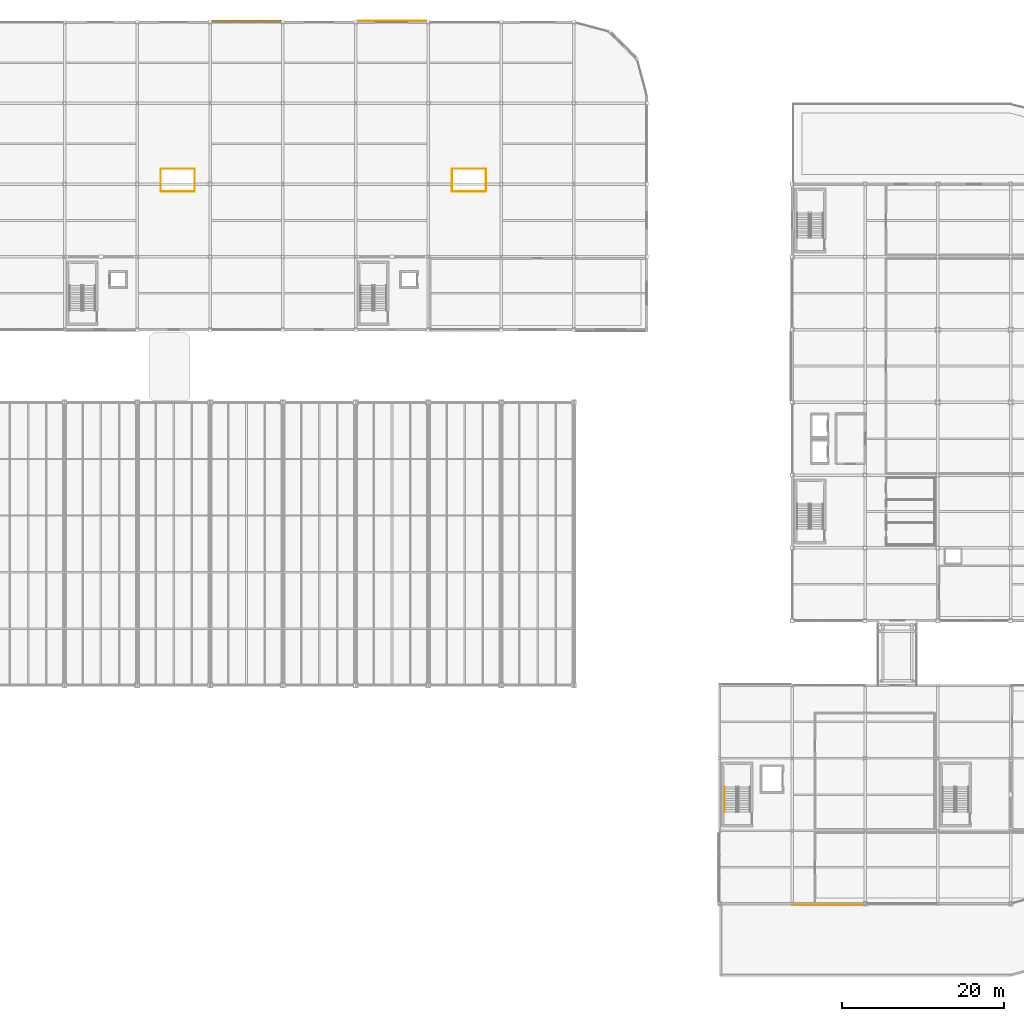
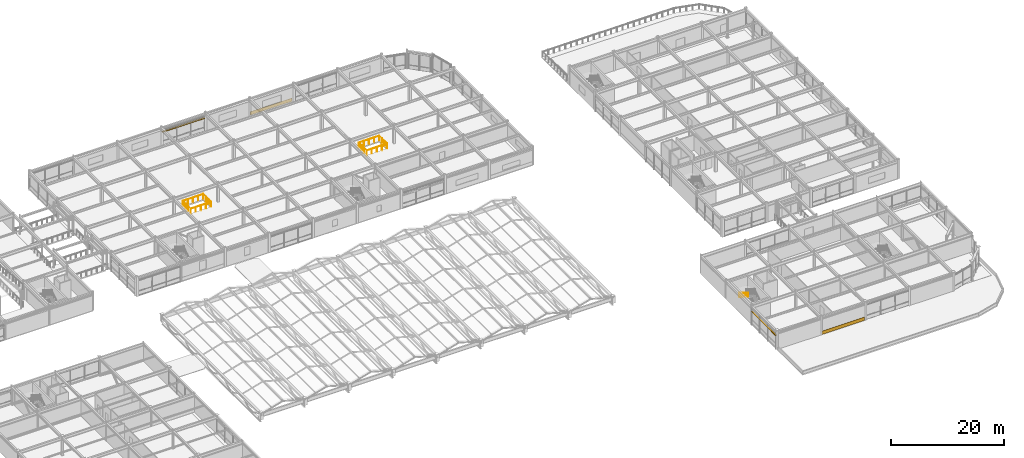
# One storey, part 101 of 108: 5 railings, 2 coverings, 2 shading devices.
"""IFC4 building model written with IfcOpenShell, lengths in metres."""

from ifc_helpers import new_model, si_unit, direction, frame, origin, origin_2d, place, context, subcontext, project, spatial, rectangle, circle, extrude, material, layer, layer_set, material_profile, profile_set, type_object, element, save


model = new_model("IFC4")

# Units and contexts
model_context = context("Model", 3, precision=1e-05, world=origin(), true_north=direction((0.0, 1.0)))
body_context = subcontext(model_context, "Body", "Model", "MODEL_VIEW")
ifc_project = project(units=[si_unit("LENGTHUNIT", "METRE"), si_unit("AREAUNIT", "SQUARE_METRE"), si_unit("VOLUMEUNIT", "CUBIC_METRE"), si_unit("PLANEANGLEUNIT", "RADIAN"), si_unit("MASSUNIT", "GRAM", prefix="KILO")], contexts=[model_context])

# Site, building, storey
site_placement = place(None, origin())
site = spatial("IfcSite", under=ifc_project, at=site_placement, CompositionType="ELEMENT")
building_placement = place(site_placement, origin())
building = spatial("IfcBuilding", under=site, at=building_placement, Name="Suzunagisa Mobility Hub", CompositionType="ELEMENT")
storey_placement = place(building_placement, frame((0.0, 0.0, 9.300048828125)))
storey = spatial("IfcBuildingStorey", under=building, at=storey_placement, Name="L02", CompositionType="ELEMENT", Elevation=9.300048828125)

# Railings
ifc_material_1 = material(Name="Stainless Steel SUS304", Category="metal")
railing_type_1 = type_object("IfcRailingType", Name="Interior Well Guardrail IGR-01", PredefinedType="GUARDRAIL", material=ifc_material_1)
railing_1_placement = place(storey_placement, frame((65.89990234375, 99.840087890625, 0.0)))
element("IfcRailing", 1, at=railing_1_placement, inside=storey, type_object=railing_type_1, Name="L02 Smoke-Relief Lightwell Guardrail LG-57S", PredefinedType="GUARDRAIL", context=body_context, shape_type="SweptSolid", body=[
    extrude(circle(Radius=0.02392578125, at=origin_2d()), frame((0.0, 0.0, 1.09619140625), z_axis=(0.0, -1.0, 0.0), x_axis=(1.0, 0.0, 0.0)), (0.0, 0.0, 1.0), 2.739990234375),
    extrude(circle(Radius=0.02392578125, at=origin_2d()), frame((0.0, -2.739990234375, 1.09619140625), z_axis=(1.0, 0.0, 0.0), x_axis=(0.0, 1.0, 0.0)), (0.0, 0.0, 1.0), 4.2001953125),
    extrude(circle(Radius=0.02099609375, at=origin_2d()), origin(), (0.0, 0.0, 1.0), 1.072021484375),
    extrude(circle(Radius=0.02099609375, at=origin_2d()), frame((0.0, -0.913330078125, 0.0)), (0.0, 0.0, 1.0), 1.072021484375),
    extrude(circle(Radius=0.02099609375, at=origin_2d()), frame((0.0, -1.82666015625, 0.0)), (0.0, 0.0, 1.0), 1.072021484375),
    extrude(circle(Radius=0.02099609375, at=origin_2d()), frame((0.0, -2.739990234375, 0.0)), (0.0, 0.0, 1.0), 1.072021484375),
    extrude(circle(Radius=0.02099609375, at=origin_2d()), frame((1.050048828125, -2.739990234375, 0.0)), (0.0, 0.0, 1.0), 1.072021484375),
    extrude(circle(Radius=0.02099609375, at=origin_2d()), frame((2.10009765625, -2.739990234375, 0.0)), (0.0, 0.0, 1.0), 1.072021484375),
    extrude(circle(Radius=0.02099609375, at=origin_2d()), frame((3.150146484375, -2.739990234375, 0.0)), (0.0, 0.0, 1.0), 1.072021484375),
    extrude(circle(Radius=0.02099609375, at=origin_2d()), frame((4.2001953125, -2.739990234375, 0.0)), (0.0, 0.0, 1.0), 1.072021484375),
])
railing_2_placement = place(storey_placement, frame((70.10009765625, 97.159912109375, 0.0)))
element("IfcRailing", 2, at=railing_2_placement, inside=storey, type_object=railing_type_1, Name="L02 Smoke-Relief Lightwell Guardrail LG-58N", PredefinedType="GUARDRAIL", context=body_context, shape_type="SweptSolid", body=[
    extrude(circle(Radius=0.02392578125, at=origin_2d()), frame((0.0, 0.0, 1.09619140625), z_axis=(0.0, 1.0, 0.0), x_axis=(-1.0, 0.0, 0.0)), (0.0, 0.0, 1.0), 2.739990234375),
    extrude(circle(Radius=0.02392578125, at=origin_2d()), frame((0.0, 2.739990234375, 1.09619140625), z_axis=(-1.0, 0.0, 0.0), x_axis=(0.0, -1.0, 0.0)), (0.0, 0.0, 1.0), 4.2001953125),
    extrude(circle(Radius=0.02099609375, at=origin_2d()), origin(), (0.0, 0.0, 1.0), 1.072021484375),
    extrude(circle(Radius=0.02099609375, at=origin_2d()), frame((0.0, 0.913330078125, 0.0)), (0.0, 0.0, 1.0), 1.072021484375),
    extrude(circle(Radius=0.02099609375, at=origin_2d()), frame((0.0, 1.82666015625, 0.0)), (0.0, 0.0, 1.0), 1.072021484375),
    extrude(circle(Radius=0.02099609375, at=origin_2d()), frame((0.0, 2.739990234375, 0.0)), (0.0, 0.0, 1.0), 1.072021484375),
    extrude(circle(Radius=0.02099609375, at=origin_2d()), frame((-1.050048828125, 2.739990234375, 0.0)), (0.0, 0.0, 1.0), 1.072021484375),
    extrude(circle(Radius=0.02099609375, at=origin_2d()), frame((-2.10009765625, 2.739990234375, 0.0)), (0.0, 0.0, 1.0), 1.072021484375),
    extrude(circle(Radius=0.02099609375, at=origin_2d()), frame((-3.150146484375, 2.739990234375, 0.0)), (0.0, 0.0, 1.0), 1.072021484375),
    extrude(circle(Radius=0.02099609375, at=origin_2d()), frame((-4.2001953125, 2.739990234375, 0.0)), (0.0, 0.0, 1.0), 1.072021484375),
])
railing_3_placement = place(storey_placement, frame((101.89990234375, 99.840087890625, 0.0)))
element("IfcRailing", 3, at=railing_3_placement, inside=storey, type_object=railing_type_1, Name="L02 Smoke-Relief Lightwell Guardrail LG-59S", PredefinedType="GUARDRAIL", context=body_context, shape_type="SweptSolid", body=[
    extrude(circle(Radius=0.02392578125, at=origin_2d()), frame((0.0, 0.0, 1.09619140625), z_axis=(0.0, -1.0, 0.0), x_axis=(1.0, 0.0, 0.0)), (0.0, 0.0, 1.0), 2.739990234375),
    extrude(circle(Radius=0.02392578125, at=origin_2d()), frame((0.0, -2.739990234375, 1.09619140625), z_axis=(1.0, 0.0, 0.0), x_axis=(0.0, 1.0, 0.0)), (0.0, 0.0, 1.0), 4.2001953125),
    extrude(circle(Radius=0.02099609375, at=origin_2d()), origin(), (0.0, 0.0, 1.0), 1.072021484375),
    extrude(circle(Radius=0.02099609375, at=origin_2d()), frame((0.0, -0.913330078125, 0.0)), (0.0, 0.0, 1.0), 1.072021484375),
    extrude(circle(Radius=0.02099609375, at=origin_2d()), frame((0.0, -1.82666015625, 0.0)), (0.0, 0.0, 1.0), 1.072021484375),
    extrude(circle(Radius=0.02099609375, at=origin_2d()), frame((0.0, -2.739990234375, 0.0)), (0.0, 0.0, 1.0), 1.072021484375),
    extrude(circle(Radius=0.02099609375, at=origin_2d()), frame((1.050048828125, -2.739990234375, 0.0)), (0.0, 0.0, 1.0), 1.072021484375),
    extrude(circle(Radius=0.02099609375, at=origin_2d()), frame((2.10009765625, -2.739990234375, 0.0)), (0.0, 0.0, 1.0), 1.072021484375),
    extrude(circle(Radius=0.02099609375, at=origin_2d()), frame((3.150146484375, -2.739990234375, 0.0)), (0.0, 0.0, 1.0), 1.072021484375),
    extrude(circle(Radius=0.02099609375, at=origin_2d()), frame((4.2001953125, -2.739990234375, 0.0)), (0.0, 0.0, 1.0), 1.072021484375),
])
railing_4_placement = place(storey_placement, frame((106.10009765625, 97.159912109375, 0.0)))
element("IfcRailing", 4, at=railing_4_placement, inside=storey, type_object=railing_type_1, Name="L02 Smoke-Relief Lightwell Guardrail LG-60N", PredefinedType="GUARDRAIL", context=body_context, shape_type="SweptSolid", body=[
    extrude(circle(Radius=0.02392578125, at=origin_2d()), frame((0.0, 0.0, 1.09619140625), z_axis=(0.0, 1.0, 0.0), x_axis=(-1.0, 0.0, 0.0)), (0.0, 0.0, 1.0), 2.739990234375),
    extrude(circle(Radius=0.02392578125, at=origin_2d()), frame((0.0, 2.739990234375, 1.09619140625), z_axis=(-1.0, 0.0, 0.0), x_axis=(0.0, -1.0, 0.0)), (0.0, 0.0, 1.0), 4.2001953125),
    extrude(circle(Radius=0.02099609375, at=origin_2d()), origin(), (0.0, 0.0, 1.0), 1.072021484375),
    extrude(circle(Radius=0.02099609375, at=origin_2d()), frame((0.0, 0.913330078125, 0.0)), (0.0, 0.0, 1.0), 1.072021484375),
    extrude(circle(Radius=0.02099609375, at=origin_2d()), frame((0.0, 1.82666015625, 0.0)), (0.0, 0.0, 1.0), 1.072021484375),
    extrude(circle(Radius=0.02099609375, at=origin_2d()), frame((0.0, 2.739990234375, 0.0)), (0.0, 0.0, 1.0), 1.072021484375),
    extrude(circle(Radius=0.02099609375, at=origin_2d()), frame((-1.050048828125, 2.739990234375, 0.0)), (0.0, 0.0, 1.0), 1.072021484375),
    extrude(circle(Radius=0.02099609375, at=origin_2d()), frame((-2.10009765625, 2.739990234375, 0.0)), (0.0, 0.0, 1.0), 1.072021484375),
    extrude(circle(Radius=0.02099609375, at=origin_2d()), frame((-3.150146484375, 2.739990234375, 0.0)), (0.0, 0.0, 1.0), 1.072021484375),
    extrude(circle(Radius=0.02099609375, at=origin_2d()), frame((-4.2001953125, 2.739990234375, 0.0)), (0.0, 0.0, 1.0), 1.072021484375),
])

# Coverings
ifc_material_2 = material(Name="Vitreous Porcelain Enamel Aluminum Cladding", Category="aluminium")
ifc_layer = layer(ifc_material_2, 0.034912109375)
ifc_layer_set = layer_set([ifc_layer], Name="Vitreous Porcelain Enamel Aluminum Cladding")
covering_type = type_object("IfcCoveringType", Name="Porcelain Enamel Spandrel Cladding Band CLD-01", PredefinedType="CLADDING", material=ifc_layer_set)
covering_1_placement = place(storey_placement, frame((94.5, 118.157470703125, 0.06005859375), z_axis=(0.0, 0.0, 1.0), x_axis=(-1.0, 0.0, 0.0)))
element("IfcCovering", 5, at=covering_1_placement, inside=storey, type_object=covering_type, Name="L02 Porcelain Spandrel Cladding Band CLD-21", PredefinedType="CLADDING", context=body_context, shape_type="SweptSolid", body=[
    extrude(rectangle(XDim=8.5, YDim=0.034912109375, at=origin_2d()), origin(), (0.0, 0.0, 1.0), 0.719970703125),
])
covering_2_placement = place(storey_placement, frame((148.42724609375, 8.8525390625, 0.06005859375), z_axis=(0.0, 0.0, 1.0), x_axis=(1.0, 0.0, 0.0)))
element("IfcCovering", 6, at=covering_2_placement, inside=storey, type_object=covering_type, Name="L02 Porcelain Spandrel Cladding Band CLD-34", PredefinedType="CLADDING", context=body_context, shape_type="SweptSolid", body=[
    extrude(rectangle(XDim=8.74560546875, YDim=0.034912109375, at=origin_2d()), origin(), (0.0, 0.0, 1.0), 0.719970703125),
])

# Shading devices
ifc_material_3 = material(Name="Fluoropolymer-Coated Extruded Aluminum 6063-T5", Category="aluminium")
ifc_material_profile_1 = material_profile(ifc_material_3, rectangle(XDim=0.360107421875, YDim=0.050048828125, at=origin_2d()), Name="FIN-360x50")
ifc_profile_set_1 = profile_set([ifc_material_profile_1], Name="Fluoropolymer-Coated Extruded Aluminum 6063-T5")
shading_device_type_1 = type_object("IfcShadingDeviceType", Name="Streamline Aluminum Sunshade SF-01 FIN-360x50", PredefinedType="SHUTTER", material=ifc_profile_set_1)
shading_device_1_placement = place(storey_placement, frame((80.77001953125, 118.110107421875, 2.800048828125), z_axis=(-1.0, 0.0, 0.0), x_axis=(0.0, -1.0, 0.0)))
element("IfcShadingDevice", 7, at=shading_device_1_placement, inside=storey, type_object=shading_device_type_1, Name="L02 Streamline Speed-Rail Sunshade Fin SF-23", PredefinedType="SHUTTER", context=body_context, shape_type="SweptSolid", body=[
    extrude(rectangle(XDim=0.360107421875, YDim=0.050048828125, at=origin_2d()), origin(), (0.0, 0.0, 1.0), 8.5400390625),
])
ifc_material_profile_2 = material_profile(ifc_material_3, rectangle(XDim=0.280029296875, YDim=0.044921875, at=origin_2d()), Name="FIN-280x45")
ifc_profile_set_2 = profile_set([ifc_material_profile_2], Name="Fluoropolymer-Coated Extruded Aluminum 6063-T5")
shading_device_type_2 = type_object("IfcShadingDeviceType", Name="Streamline Aluminum Sunshade SF-02 FIN-280x45", PredefinedType="JALOUSIE", material=ifc_profile_set_2)
shading_device_2_placement = place(storey_placement, frame((134.892578125, 17.800048828125, 2.889892578125), z_axis=(0.0, -1.0, 0.0), x_axis=(1.0, 0.0, 0.0)))
element("IfcShadingDevice", 8, at=shading_device_2_placement, inside=storey, type_object=shading_device_type_2, Name="L02 Streamline Speed-Rail Sunshade Fin SF-34", PredefinedType="JALOUSIE", context=body_context, shape_type="SweptSolid", body=[
    extrude(rectangle(XDim=0.280029296875, YDim=0.044921875, at=origin_2d()), origin(), (0.0, 0.0, 1.0), 8.6201171875),
])

# Railing
railing_type_2 = type_object("IfcRailingType", Name="Tubular Stainless Stair Handrail IHR-01", PredefinedType="HANDRAIL", material=ifc_material_1)
railing_5_placement = place(storey_placement, frame((135.610107421875, 23.43994140625, 2.27490234375)))
element("IfcRailing", 9, at=railing_5_placement, inside=storey, type_object=railing_type_2, Name="L02 ST-09 stair handrail 2", PredefinedType="HANDRAIL", context=body_context, shape_type="SweptSolid", body=[
    extrude(circle(Radius=0.02392578125, at=origin_2d()), frame((0.0, 0.0, 0.8759765625), z_axis=(0.0, -0.847979421464, 0.530029150871), x_axis=(1.0, 0.0, 0.0)), (0.0, 0.0, 1.0), 3.632080078125),
    extrude(circle(Radius=0.02099609375, at=origin_2d()), origin(), (0.0, 0.0, 1.0), 0.851806640625),
    extrude(circle(Radius=0.02099609375, at=origin_2d()), frame((0.0, -0.77001953125, 0.481201171875)), (0.0, 0.0, 1.0), 0.851806640625),
    extrude(circle(Radius=0.02099609375, at=origin_2d()), frame((0.0, -1.5400390625, 0.96240234375)), (0.0, 0.0, 1.0), 0.851806640625),
    extrude(circle(Radius=0.02099609375, at=origin_2d()), frame((0.0, -2.309814453125, 1.44384765625)), (0.0, 0.0, 1.0), 0.851806640625),
    extrude(circle(Radius=0.02099609375, at=origin_2d()), frame((0.0, -3.079833984375, 1.925048828125)), (0.0, 0.0, 1.0), 0.851806640625),
])

save(model, "model.ifc")
